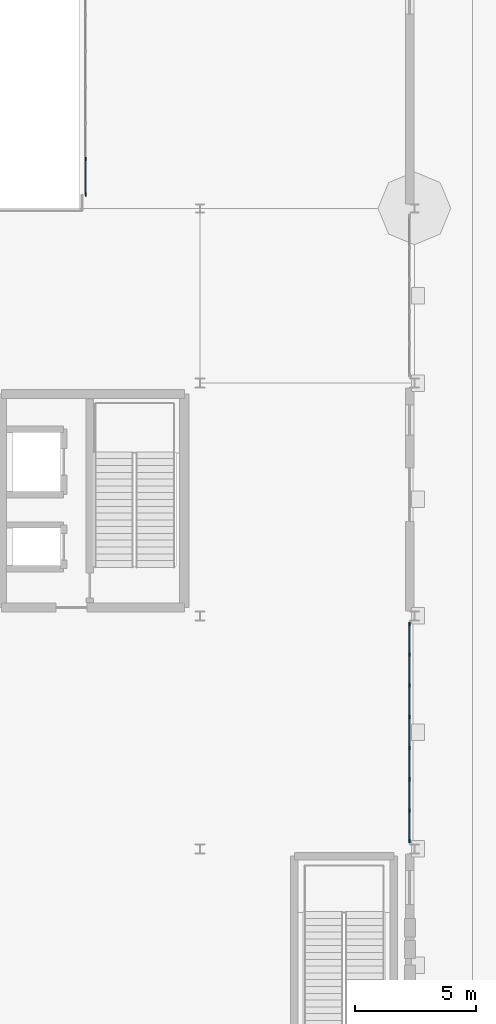
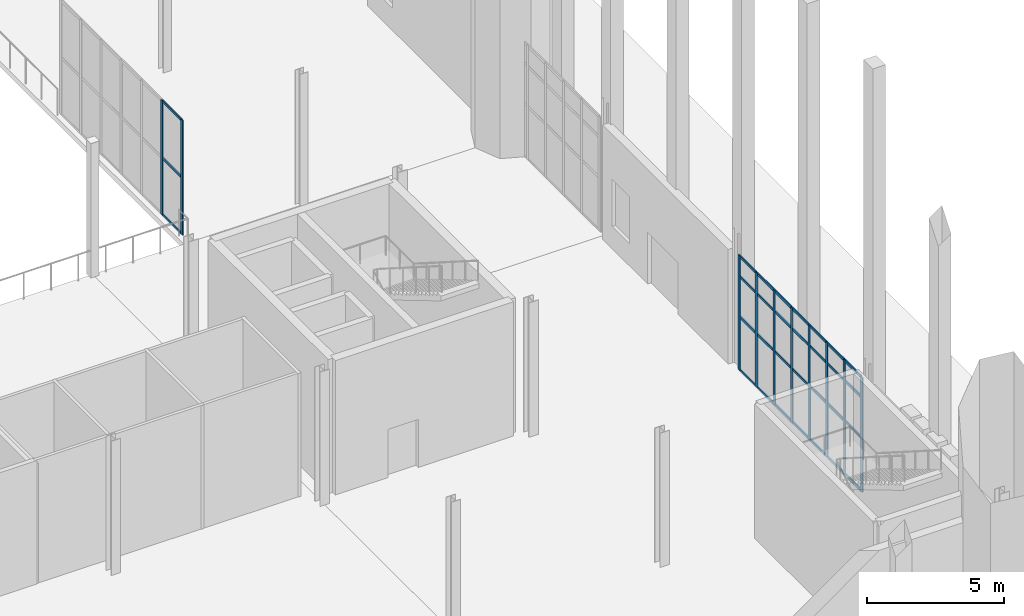
# One storey, part 54 of 139: 41 members, 2 elements without a shape of their own.
"""IFC4 building model written with IfcOpenShell, lengths in metres."""

from ifc_helpers import new_model, si_unit, direction, frame, origin, origin_2d, place, context, subcontext, project, spatial, rectangle, extrude, material, layer, layer_set, material_profile, profile_set, type_object, element, aggregate, save


model = new_model("IFC4")

# Units and contexts
model_context = context("Model", 3, precision=1e-05, world=origin(), true_north=direction((0.0, 1.0)))
body_context = subcontext(model_context, "Body", "Model", "MODEL_VIEW")
ifc_project = project(units=[si_unit("LENGTHUNIT", "METRE"), si_unit("AREAUNIT", "SQUARE_METRE"), si_unit("VOLUMEUNIT", "CUBIC_METRE"), si_unit("PLANEANGLEUNIT", "RADIAN"), si_unit("MASSUNIT", "GRAM", prefix="KILO")], contexts=[model_context])

# Site, building, storey
site_placement = place(None, origin())
site = spatial("IfcSite", under=ifc_project, at=site_placement, CompositionType="ELEMENT")
building_placement = place(site_placement, origin())
building = spatial("IfcBuilding", under=site, at=building_placement, Name="Yeouljin Market Hall", CompositionType="ELEMENT")
storey_placement = place(building_placement, origin())
storey = spatial("IfcBuildingStorey", under=building, at=storey_placement, Name="L00", CompositionType="ELEMENT", Elevation=0.0)

# Curtain wall, members
ifc_material_1 = material(Name="Thermally Broken Aluminium", Category="aluminium")
ifc_layer = layer(ifc_material_1, 0.14990234375)
ifc_layer_set = layer_set([ifc_layer], Name="Thermally Broken Aluminium")
curtain_wall_type = type_object("IfcCurtainWallType", Name="CW_WingStorefront_System", PredefinedType="USERDEFINED", material=ifc_layer_set)
curtain_wall_1_placement = place(storey_placement, origin())
curtain_wall_1 = element("IfcCurtainWall", 1, at=curtain_wall_1_placement, inside=storey, type_object=curtain_wall_type, Name="Curtain wall CW-V3E-L00-8", ObjectType="CURTAIN WALL", PredefinedType="USERDEFINED")
ifc_material_2 = material(Name="Thermally Broken Aluminium", Category="aluminium")
ifc_material_profile_1 = material_profile(ifc_material_2, rectangle(XDim=0.048095703125, YDim=0.14990234375, at=origin_2d()), Name="CW-MULL-48x150")
ifc_profile_set_1 = profile_set([ifc_material_profile_1], Name="Thermally Broken Aluminium")
member_type_1 = type_object("IfcMemberType", Name="CWMullion_48x150", PredefinedType="MULLION", material=ifc_profile_set_1)
member_1_placement = place(storey_placement, frame((176.199951171875, 18.8759765625, 0.0), z_axis=(0.0, 0.0, 1.0), x_axis=(1.0, 0.0, 0.0)))
member_1 = element("IfcMember", 2, at=member_1_placement, type_object=member_type_1, Name="CW-04 mullion 1", PredefinedType="MULLION", context=body_context, shape_type="SweptSolid", body=[
    extrude(rectangle(XDim=0.048095703125, YDim=0.14990234375, at=origin_2d()), origin(), (0.0, 0.0, 1.0), 5.1201171875),
])
member_2_placement = place(storey_placement, frame((176.199951171875, 17.6142578125, 0.0), z_axis=(0.0, 0.0, 1.0), x_axis=(1.0, 0.0, 0.0)))
member_2 = element("IfcMember", 3, at=member_2_placement, type_object=member_type_1, Name="CW-04 mullion 2", PredefinedType="MULLION", context=body_context, shape_type="SweptSolid", body=[
    extrude(rectangle(XDim=0.048095703125, YDim=0.14990234375, at=origin_2d()), origin(), (0.0, 0.0, 1.0), 5.1201171875),
])
member_3_placement = place(storey_placement, frame((176.199951171875, 16.32861328125, 0.0), z_axis=(0.0, 0.0, 1.0), x_axis=(1.0, 0.0, 0.0)))
member_3 = element("IfcMember", 4, at=member_3_placement, type_object=member_type_1, Name="CW-04 mullion 3", PredefinedType="MULLION", context=body_context, shape_type="SweptSolid", body=[
    extrude(rectangle(XDim=0.048095703125, YDim=0.14990234375, at=origin_2d()), origin(), (0.0, 0.0, 1.0), 5.1201171875),
])
member_4_placement = place(storey_placement, frame((176.199951171875, 15.04296875, 0.0), z_axis=(0.0, 0.0, 1.0), x_axis=(1.0, 0.0, 0.0)))
member_4 = element("IfcMember", 5, at=member_4_placement, type_object=member_type_1, Name="CW-04 mullion 4", PredefinedType="MULLION", context=body_context, shape_type="SweptSolid", body=[
    extrude(rectangle(XDim=0.048095703125, YDim=0.14990234375, at=origin_2d()), origin(), (0.0, 0.0, 1.0), 5.1201171875),
])
member_5_placement = place(storey_placement, frame((176.199951171875, 13.757080078125, 0.0), z_axis=(0.0, 0.0, 1.0), x_axis=(1.0, 0.0, 0.0)))
member_5 = element("IfcMember", 6, at=member_5_placement, type_object=member_type_1, Name="CW-04 mullion 5", PredefinedType="MULLION", context=body_context, shape_type="SweptSolid", body=[
    extrude(rectangle(XDim=0.048095703125, YDim=0.14990234375, at=origin_2d()), origin(), (0.0, 0.0, 1.0), 5.1201171875),
])
member_6_placement = place(storey_placement, frame((176.199951171875, 12.471435546875, 0.0), z_axis=(0.0, 0.0, 1.0), x_axis=(1.0, 0.0, 0.0)))
member_6 = element("IfcMember", 7, at=member_6_placement, type_object=member_type_1, Name="CW-04 mullion 6", PredefinedType="MULLION", context=body_context, shape_type="SweptSolid", body=[
    extrude(rectangle(XDim=0.048095703125, YDim=0.14990234375, at=origin_2d()), origin(), (0.0, 0.0, 1.0), 5.1201171875),
])
member_7_placement = place(storey_placement, frame((176.199951171875, 11.185791015625, 0.0), z_axis=(0.0, 0.0, 1.0), x_axis=(1.0, 0.0, 0.0)))
member_7 = element("IfcMember", 8, at=member_7_placement, type_object=member_type_1, Name="CW-04 mullion 7", PredefinedType="MULLION", context=body_context, shape_type="SweptSolid", body=[
    extrude(rectangle(XDim=0.048095703125, YDim=0.14990234375, at=origin_2d()), origin(), (0.0, 0.0, 1.0), 5.1201171875),
])
member_8_placement = place(storey_placement, frame((176.199951171875, 9.924072265625, 0.0), z_axis=(0.0, 0.0, 1.0), x_axis=(1.0, 0.0, 0.0)))
member_8 = element("IfcMember", 9, at=member_8_placement, type_object=member_type_1, Name="CW-04 mullion 8", PredefinedType="MULLION", context=body_context, shape_type="SweptSolid", body=[
    extrude(rectangle(XDim=0.048095703125, YDim=0.14990234375, at=origin_2d()), origin(), (0.0, 0.0, 1.0), 5.1201171875),
])

curtain_wall_2_placement = place(storey_placement, origin())
curtain_wall_2 = element("IfcCurtainWall", 10, at=curtain_wall_2_placement, inside=storey, type_object=curtain_wall_type, Name="Curtain wall CW-CRT-L00-13", ObjectType="CURTAIN WALL", PredefinedType="USERDEFINED")
member_9_placement = place(storey_placement, frame((162.85009765625, 38.033447265625, 0.0), z_axis=(0.0, 0.0, 1.0), x_axis=(1.0, 0.0, 0.0)))
member_9 = element("IfcMember", 11, at=member_9_placement, type_object=member_type_1, Name="CW-04 mullion 6", PredefinedType="MULLION", context=body_context, shape_type="SweptSolid", body=[
    extrude(rectangle(XDim=0.048095703125, YDim=0.14990234375, at=origin_2d()), origin(), (0.0, 0.0, 1.0), 5.1201171875),
])
member_10_placement = place(storey_placement, frame((162.85009765625, 36.573974609375, 0.0), z_axis=(0.0, 0.0, 1.0), x_axis=(1.0, 0.0, 0.0)))
member_10 = element("IfcMember", 12, at=member_10_placement, type_object=member_type_1, Name="CW-04 mullion 7", PredefinedType="MULLION", context=body_context, shape_type="SweptSolid", body=[
    extrude(rectangle(XDim=0.048095703125, YDim=0.14990234375, at=origin_2d()), origin(), (0.0, 0.0, 1.0), 5.1201171875),
])

# Member
ifc_material_3 = material(Name="Thermally Broken Aluminium", Category="aluminium")
ifc_material_profile_2 = material_profile(ifc_material_3, rectangle(XDim=0.048095703125, YDim=0.1201171875, at=origin_2d()), Name="CW-TRAN-48x120")
ifc_profile_set_2 = profile_set([ifc_material_profile_2], Name="Thermally Broken Aluminium")
member_type_2 = type_object("IfcMemberType", Name="CWTransom_48x120", PredefinedType="USERDEFINED", material=ifc_profile_set_2)
member_11_placement = place(storey_placement, frame((176.199951171875, 18.85205078125, 0.02392578125), z_axis=(0.0, -1.0, 0.0), x_axis=(1.0, 0.0, 0.0)))
member_11 = element("IfcMember", 13, at=member_11_placement, type_object=member_type_2, Name="CW-04 transom 1.1", ObjectType="TRANSOM", PredefinedType="USERDEFINED", context=body_context, shape_type="SweptSolid", body=[
    extrude(rectangle(XDim=0.048095703125, YDim=0.1201171875, at=origin_2d()), origin(), (0.0, 0.0, 1.0), 1.2138671875),
])

member_12_placement = place(storey_placement, frame((176.199951171875, 18.85205078125, 2.39990234375), z_axis=(0.0, -1.0, 0.0), x_axis=(1.0, 0.0, 0.0)))
member_12 = element("IfcMember", 14, at=member_12_placement, type_object=member_type_2, Name="CW-04 transom 1.2", ObjectType="TRANSOM", PredefinedType="USERDEFINED", context=body_context, shape_type="SweptSolid", body=[
    extrude(rectangle(XDim=0.048095703125, YDim=0.1201171875, at=origin_2d()), origin(), (0.0, 0.0, 1.0), 1.2138671875),
])

member_13_placement = place(storey_placement, frame((176.199951171875, 18.85205078125, 4.199951171875), z_axis=(0.0, -1.0, 0.0), x_axis=(1.0, 0.0, 0.0)))
member_13 = element("IfcMember", 15, at=member_13_placement, type_object=member_type_2, Name="CW-04 transom 1.3", ObjectType="TRANSOM", PredefinedType="USERDEFINED", context=body_context, shape_type="SweptSolid", body=[
    extrude(rectangle(XDim=0.048095703125, YDim=0.1201171875, at=origin_2d()), origin(), (0.0, 0.0, 1.0), 1.2138671875),
])

member_14_placement = place(storey_placement, frame((176.199951171875, 18.85205078125, 5.095947265625), z_axis=(0.0, -1.0, 0.0), x_axis=(1.0, 0.0, 0.0)))
member_14 = element("IfcMember", 16, at=member_14_placement, type_object=member_type_2, Name="CW-04 transom 1.4", ObjectType="TRANSOM", PredefinedType="USERDEFINED", context=body_context, shape_type="SweptSolid", body=[
    extrude(rectangle(XDim=0.048095703125, YDim=0.1201171875, at=origin_2d()), origin(), (0.0, 0.0, 1.0), 1.2138671875),
])

member_15_placement = place(storey_placement, frame((176.199951171875, 17.59033203125, 0.02392578125), z_axis=(0.0, -1.0, 0.0), x_axis=(1.0, 0.0, 0.0)))
member_15 = element("IfcMember", 17, at=member_15_placement, type_object=member_type_2, Name="CW-04 transom 2.1", ObjectType="TRANSOM", PredefinedType="USERDEFINED", context=body_context, shape_type="SweptSolid", body=[
    extrude(rectangle(XDim=0.048095703125, YDim=0.1201171875, at=origin_2d()), origin(), (0.0, 0.0, 1.0), 1.23779296875),
])

member_16_placement = place(storey_placement, frame((176.199951171875, 17.59033203125, 2.39990234375), z_axis=(0.0, -1.0, 0.0), x_axis=(1.0, 0.0, 0.0)))
member_16 = element("IfcMember", 18, at=member_16_placement, type_object=member_type_2, Name="CW-04 transom 2.2", ObjectType="TRANSOM", PredefinedType="USERDEFINED", context=body_context, shape_type="SweptSolid", body=[
    extrude(rectangle(XDim=0.048095703125, YDim=0.1201171875, at=origin_2d()), origin(), (0.0, 0.0, 1.0), 1.23779296875),
])

member_17_placement = place(storey_placement, frame((176.199951171875, 17.59033203125, 4.199951171875), z_axis=(0.0, -1.0, 0.0), x_axis=(1.0, 0.0, 0.0)))
member_17 = element("IfcMember", 19, at=member_17_placement, type_object=member_type_2, Name="CW-04 transom 2.3", ObjectType="TRANSOM", PredefinedType="USERDEFINED", context=body_context, shape_type="SweptSolid", body=[
    extrude(rectangle(XDim=0.048095703125, YDim=0.1201171875, at=origin_2d()), origin(), (0.0, 0.0, 1.0), 1.23779296875),
])

member_18_placement = place(storey_placement, frame((176.199951171875, 17.59033203125, 5.095947265625), z_axis=(0.0, -1.0, 0.0), x_axis=(1.0, 0.0, 0.0)))
member_18 = element("IfcMember", 20, at=member_18_placement, type_object=member_type_2, Name="CW-04 transom 2.4", ObjectType="TRANSOM", PredefinedType="USERDEFINED", context=body_context, shape_type="SweptSolid", body=[
    extrude(rectangle(XDim=0.048095703125, YDim=0.1201171875, at=origin_2d()), origin(), (0.0, 0.0, 1.0), 1.23779296875),
])

member_19_placement = place(storey_placement, frame((176.199951171875, 16.3046875, 0.02392578125), z_axis=(0.0, -1.0, 0.0), x_axis=(1.0, 0.0, 0.0)))
member_19 = element("IfcMember", 21, at=member_19_placement, type_object=member_type_2, Name="CW-04 transom 3.1", ObjectType="TRANSOM", PredefinedType="USERDEFINED", context=body_context, shape_type="SweptSolid", body=[
    extrude(rectangle(XDim=0.048095703125, YDim=0.1201171875, at=origin_2d()), origin(), (0.0, 0.0, 1.0), 1.23779296875),
])

member_20_placement = place(storey_placement, frame((176.199951171875, 16.3046875, 2.39990234375), z_axis=(0.0, -1.0, 0.0), x_axis=(1.0, 0.0, 0.0)))
member_20 = element("IfcMember", 22, at=member_20_placement, type_object=member_type_2, Name="CW-04 transom 3.2", ObjectType="TRANSOM", PredefinedType="USERDEFINED", context=body_context, shape_type="SweptSolid", body=[
    extrude(rectangle(XDim=0.048095703125, YDim=0.1201171875, at=origin_2d()), origin(), (0.0, 0.0, 1.0), 1.23779296875),
])

member_21_placement = place(storey_placement, frame((176.199951171875, 16.3046875, 4.199951171875), z_axis=(0.0, -1.0, 0.0), x_axis=(1.0, 0.0, 0.0)))
member_21 = element("IfcMember", 23, at=member_21_placement, type_object=member_type_2, Name="CW-04 transom 3.3", ObjectType="TRANSOM", PredefinedType="USERDEFINED", context=body_context, shape_type="SweptSolid", body=[
    extrude(rectangle(XDim=0.048095703125, YDim=0.1201171875, at=origin_2d()), origin(), (0.0, 0.0, 1.0), 1.23779296875),
])

member_22_placement = place(storey_placement, frame((176.199951171875, 16.3046875, 5.095947265625), z_axis=(0.0, -1.0, 0.0), x_axis=(1.0, 0.0, 0.0)))
member_22 = element("IfcMember", 24, at=member_22_placement, type_object=member_type_2, Name="CW-04 transom 3.4", ObjectType="TRANSOM", PredefinedType="USERDEFINED", context=body_context, shape_type="SweptSolid", body=[
    extrude(rectangle(XDim=0.048095703125, YDim=0.1201171875, at=origin_2d()), origin(), (0.0, 0.0, 1.0), 1.23779296875),
])

member_23_placement = place(storey_placement, frame((176.199951171875, 15.018798828125, 0.02392578125), z_axis=(0.0, -1.0, 0.0), x_axis=(1.0, 0.0, 0.0)))
member_23 = element("IfcMember", 25, at=member_23_placement, type_object=member_type_2, Name="CW-04 transom 4.1", ObjectType="TRANSOM", PredefinedType="USERDEFINED", context=body_context, shape_type="SweptSolid", body=[
    extrude(rectangle(XDim=0.048095703125, YDim=0.1201171875, at=origin_2d()), origin(), (0.0, 0.0, 1.0), 1.237548828125),
])

member_24_placement = place(storey_placement, frame((176.199951171875, 15.018798828125, 2.39990234375), z_axis=(0.0, -1.0, 0.0), x_axis=(1.0, 0.0, 0.0)))
member_24 = element("IfcMember", 26, at=member_24_placement, type_object=member_type_2, Name="CW-04 transom 4.2", ObjectType="TRANSOM", PredefinedType="USERDEFINED", context=body_context, shape_type="SweptSolid", body=[
    extrude(rectangle(XDim=0.048095703125, YDim=0.1201171875, at=origin_2d()), origin(), (0.0, 0.0, 1.0), 1.237548828125),
])

member_25_placement = place(storey_placement, frame((176.199951171875, 15.018798828125, 4.199951171875), z_axis=(0.0, -1.0, 0.0), x_axis=(1.0, 0.0, 0.0)))
member_25 = element("IfcMember", 27, at=member_25_placement, type_object=member_type_2, Name="CW-04 transom 4.3", ObjectType="TRANSOM", PredefinedType="USERDEFINED", context=body_context, shape_type="SweptSolid", body=[
    extrude(rectangle(XDim=0.048095703125, YDim=0.1201171875, at=origin_2d()), origin(), (0.0, 0.0, 1.0), 1.237548828125),
])

member_26_placement = place(storey_placement, frame((176.199951171875, 15.018798828125, 5.095947265625), z_axis=(0.0, -1.0, 0.0), x_axis=(1.0, 0.0, 0.0)))
member_26 = element("IfcMember", 28, at=member_26_placement, type_object=member_type_2, Name="CW-04 transom 4.4", ObjectType="TRANSOM", PredefinedType="USERDEFINED", context=body_context, shape_type="SweptSolid", body=[
    extrude(rectangle(XDim=0.048095703125, YDim=0.1201171875, at=origin_2d()), origin(), (0.0, 0.0, 1.0), 1.237548828125),
])

member_27_placement = place(storey_placement, frame((176.199951171875, 13.733154296875, 0.02392578125), z_axis=(0.0, -1.0, 0.0), x_axis=(1.0, 0.0, 0.0)))
member_27 = element("IfcMember", 29, at=member_27_placement, type_object=member_type_2, Name="CW-04 transom 5.1", ObjectType="TRANSOM", PredefinedType="USERDEFINED", context=body_context, shape_type="SweptSolid", body=[
    extrude(rectangle(XDim=0.048095703125, YDim=0.1201171875, at=origin_2d()), origin(), (0.0, 0.0, 1.0), 1.23779296875),
])

member_28_placement = place(storey_placement, frame((176.199951171875, 13.733154296875, 2.39990234375), z_axis=(0.0, -1.0, 0.0), x_axis=(1.0, 0.0, 0.0)))
member_28 = element("IfcMember", 30, at=member_28_placement, type_object=member_type_2, Name="CW-04 transom 5.2", ObjectType="TRANSOM", PredefinedType="USERDEFINED", context=body_context, shape_type="SweptSolid", body=[
    extrude(rectangle(XDim=0.048095703125, YDim=0.1201171875, at=origin_2d()), origin(), (0.0, 0.0, 1.0), 1.23779296875),
])

member_29_placement = place(storey_placement, frame((176.199951171875, 13.733154296875, 4.199951171875), z_axis=(0.0, -1.0, 0.0), x_axis=(1.0, 0.0, 0.0)))
member_29 = element("IfcMember", 31, at=member_29_placement, type_object=member_type_2, Name="CW-04 transom 5.3", ObjectType="TRANSOM", PredefinedType="USERDEFINED", context=body_context, shape_type="SweptSolid", body=[
    extrude(rectangle(XDim=0.048095703125, YDim=0.1201171875, at=origin_2d()), origin(), (0.0, 0.0, 1.0), 1.23779296875),
])

member_30_placement = place(storey_placement, frame((176.199951171875, 13.733154296875, 5.095947265625), z_axis=(0.0, -1.0, 0.0), x_axis=(1.0, 0.0, 0.0)))
member_30 = element("IfcMember", 32, at=member_30_placement, type_object=member_type_2, Name="CW-04 transom 5.4", ObjectType="TRANSOM", PredefinedType="USERDEFINED", context=body_context, shape_type="SweptSolid", body=[
    extrude(rectangle(XDim=0.048095703125, YDim=0.1201171875, at=origin_2d()), origin(), (0.0, 0.0, 1.0), 1.23779296875),
])

member_31_placement = place(storey_placement, frame((176.199951171875, 12.447509765625, 0.02392578125), z_axis=(0.0, -1.0, 0.0), x_axis=(1.0, 0.0, 0.0)))
member_31 = element("IfcMember", 33, at=member_31_placement, type_object=member_type_2, Name="CW-04 transom 6.1", ObjectType="TRANSOM", PredefinedType="USERDEFINED", context=body_context, shape_type="SweptSolid", body=[
    extrude(rectangle(XDim=0.048095703125, YDim=0.1201171875, at=origin_2d()), origin(), (0.0, 0.0, 1.0), 1.23779296875),
])

member_32_placement = place(storey_placement, frame((176.199951171875, 12.447509765625, 2.39990234375), z_axis=(0.0, -1.0, 0.0), x_axis=(1.0, 0.0, 0.0)))
member_32 = element("IfcMember", 34, at=member_32_placement, type_object=member_type_2, Name="CW-04 transom 6.2", ObjectType="TRANSOM", PredefinedType="USERDEFINED", context=body_context, shape_type="SweptSolid", body=[
    extrude(rectangle(XDim=0.048095703125, YDim=0.1201171875, at=origin_2d()), origin(), (0.0, 0.0, 1.0), 1.23779296875),
])

member_33_placement = place(storey_placement, frame((176.199951171875, 12.447509765625, 4.199951171875), z_axis=(0.0, -1.0, 0.0), x_axis=(1.0, 0.0, 0.0)))
member_33 = element("IfcMember", 35, at=member_33_placement, type_object=member_type_2, Name="CW-04 transom 6.3", ObjectType="TRANSOM", PredefinedType="USERDEFINED", context=body_context, shape_type="SweptSolid", body=[
    extrude(rectangle(XDim=0.048095703125, YDim=0.1201171875, at=origin_2d()), origin(), (0.0, 0.0, 1.0), 1.23779296875),
])

member_34_placement = place(storey_placement, frame((176.199951171875, 12.447509765625, 5.095947265625), z_axis=(0.0, -1.0, 0.0), x_axis=(1.0, 0.0, 0.0)))
member_34 = element("IfcMember", 36, at=member_34_placement, type_object=member_type_2, Name="CW-04 transom 6.4", ObjectType="TRANSOM", PredefinedType="USERDEFINED", context=body_context, shape_type="SweptSolid", body=[
    extrude(rectangle(XDim=0.048095703125, YDim=0.1201171875, at=origin_2d()), origin(), (0.0, 0.0, 1.0), 1.23779296875),
])

member_35_placement = place(storey_placement, frame((176.199951171875, 11.16162109375, 0.02392578125), z_axis=(0.0, -1.0, 0.0), x_axis=(1.0, 0.0, 0.0)))
member_35 = element("IfcMember", 37, at=member_35_placement, type_object=member_type_2, Name="CW-04 transom 7.1", ObjectType="TRANSOM", PredefinedType="USERDEFINED", context=body_context, shape_type="SweptSolid", body=[
    extrude(rectangle(XDim=0.048095703125, YDim=0.1201171875, at=origin_2d()), origin(), (0.0, 0.0, 1.0), 1.213623046875),
])

member_36_placement = place(storey_placement, frame((176.199951171875, 11.16162109375, 2.39990234375), z_axis=(0.0, -1.0, 0.0), x_axis=(1.0, 0.0, 0.0)))
member_36 = element("IfcMember", 38, at=member_36_placement, type_object=member_type_2, Name="CW-04 transom 7.2", ObjectType="TRANSOM", PredefinedType="USERDEFINED", context=body_context, shape_type="SweptSolid", body=[
    extrude(rectangle(XDim=0.048095703125, YDim=0.1201171875, at=origin_2d()), origin(), (0.0, 0.0, 1.0), 1.213623046875),
])

member_37_placement = place(storey_placement, frame((176.199951171875, 11.16162109375, 4.199951171875), z_axis=(0.0, -1.0, 0.0), x_axis=(1.0, 0.0, 0.0)))
member_37 = element("IfcMember", 39, at=member_37_placement, type_object=member_type_2, Name="CW-04 transom 7.3", ObjectType="TRANSOM", PredefinedType="USERDEFINED", context=body_context, shape_type="SweptSolid", body=[
    extrude(rectangle(XDim=0.048095703125, YDim=0.1201171875, at=origin_2d()), origin(), (0.0, 0.0, 1.0), 1.213623046875),
])

member_38_placement = place(storey_placement, frame((176.199951171875, 11.16162109375, 5.095947265625), z_axis=(0.0, -1.0, 0.0), x_axis=(1.0, 0.0, 0.0)))
member_38 = element("IfcMember", 40, at=member_38_placement, type_object=member_type_2, Name="CW-04 transom 7.4", ObjectType="TRANSOM", PredefinedType="USERDEFINED", context=body_context, shape_type="SweptSolid", body=[
    extrude(rectangle(XDim=0.048095703125, YDim=0.1201171875, at=origin_2d()), origin(), (0.0, 0.0, 1.0), 1.213623046875),
])

aggregate(curtain_wall_1, [member_1, member_2, member_3, member_4, member_5, member_6, member_7, member_8, member_11, member_12, member_13, member_14, member_15, member_16, member_17, member_18, member_19, member_20, member_21, member_22, member_23, member_24, member_25, member_26, member_27, member_28, member_29, member_30, member_31, member_32, member_33, member_34, member_35, member_36, member_37, member_38])

member_39_placement = place(storey_placement, frame((162.85009765625, 38.00927734375, 0.02392578125), z_axis=(0.0, -1.0, 0.0), x_axis=(1.0, 0.0, 0.0)))
member_39 = element("IfcMember", 41, at=member_39_placement, type_object=member_type_2, Name="CW-04 transom 6.1", ObjectType="TRANSOM", PredefinedType="USERDEFINED", context=body_context, shape_type="SweptSolid", body=[
    extrude(rectangle(XDim=0.048095703125, YDim=0.1201171875, at=origin_2d()), origin(), (0.0, 0.0, 1.0), 1.411376953125),
])

member_40_placement = place(storey_placement, frame((162.85009765625, 38.00927734375, 2.56005859375), z_axis=(0.0, -1.0, 0.0), x_axis=(1.0, 0.0, 0.0)))
member_40 = element("IfcMember", 42, at=member_40_placement, type_object=member_type_2, Name="CW-04 transom 6.2", ObjectType="TRANSOM", PredefinedType="USERDEFINED", context=body_context, shape_type="SweptSolid", body=[
    extrude(rectangle(XDim=0.048095703125, YDim=0.1201171875, at=origin_2d()), origin(), (0.0, 0.0, 1.0), 1.411376953125),
])

member_41_placement = place(storey_placement, frame((162.85009765625, 38.00927734375, 5.095947265625), z_axis=(0.0, -1.0, 0.0), x_axis=(1.0, 0.0, 0.0)))
member_41 = element("IfcMember", 43, at=member_41_placement, type_object=member_type_2, Name="CW-04 transom 6.3", ObjectType="TRANSOM", PredefinedType="USERDEFINED", context=body_context, shape_type="SweptSolid", body=[
    extrude(rectangle(XDim=0.048095703125, YDim=0.1201171875, at=origin_2d()), origin(), (0.0, 0.0, 1.0), 1.411376953125),
])

aggregate(curtain_wall_2, [member_9, member_10, member_39, member_40, member_41])

save(model, "model.ifc")
